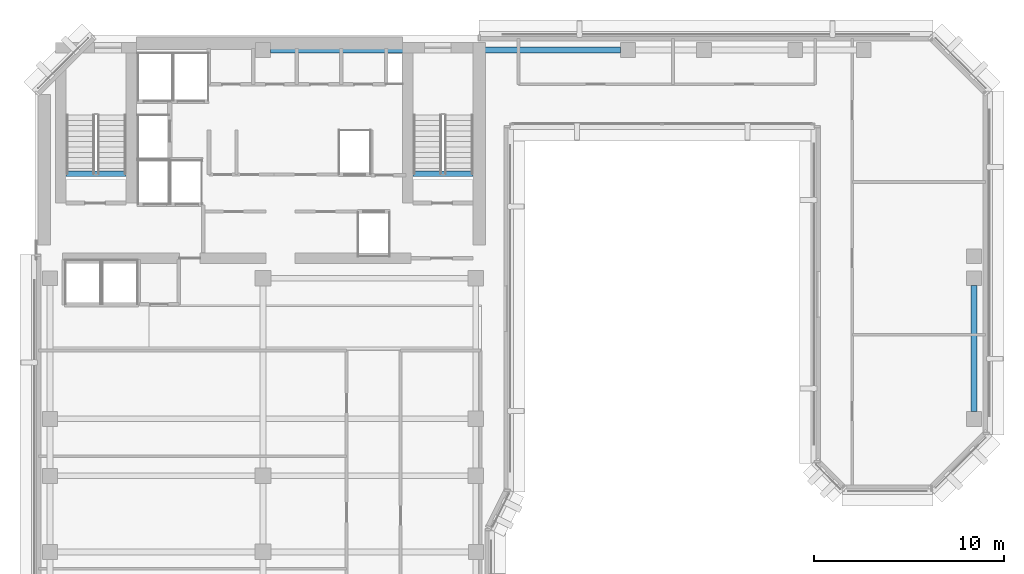
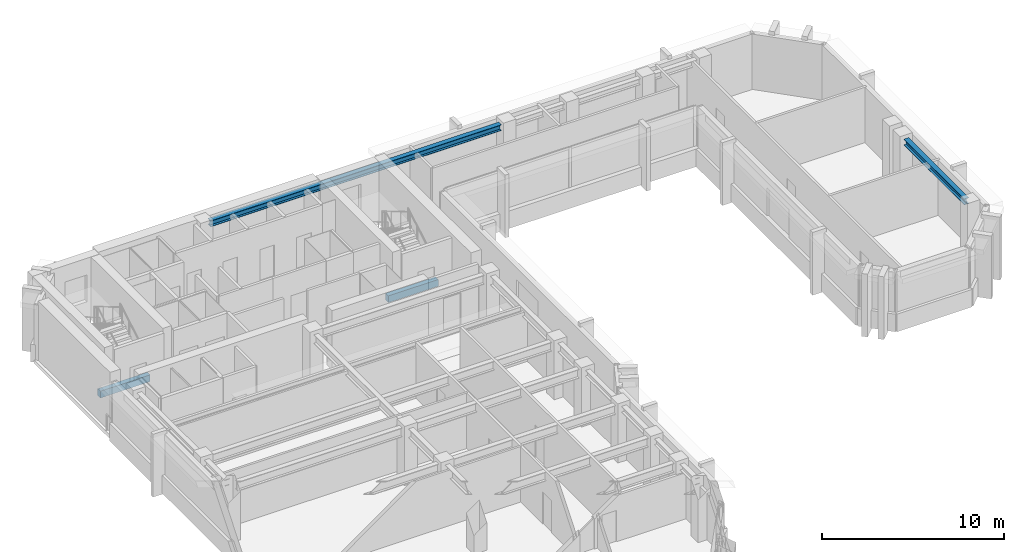
# One storey, part 3 of 11: 4 beams.
"""IFC4 building model written with IfcOpenShell, lengths in metres."""

from ifc_helpers import new_model, si_unit, direction, frame, origin, origin_2d, place, context, subcontext, project, spatial, rectangle, i_section, extrude, material, material_profile, profile_set, type_object, element, save


model = new_model("IFC4")

# Units and contexts
model_context = context("Model", 3, precision=1e-05, world=origin(), true_north=direction((0.0, 1.0)))
body_context = subcontext(model_context, "Body", "Model", "MODEL_VIEW")
ifc_project = project(units=[si_unit("LENGTHUNIT", "METRE"), si_unit("AREAUNIT", "SQUARE_METRE"), si_unit("VOLUMEUNIT", "CUBIC_METRE"), si_unit("PLANEANGLEUNIT", "RADIAN"), si_unit("MASSUNIT", "GRAM", prefix="KILO")], contexts=[model_context])

# Site, building, storey
site_placement = place(None, origin())
site = spatial("IfcSite", under=ifc_project, at=site_placement, CompositionType="ELEMENT")
building_placement = place(site_placement, origin())
building = spatial("IfcBuilding", under=site, at=building_placement, Name="Kefirva Bronze Tower", CompositionType="ELEMENT")
storey_placement = place(building_placement, frame((0.0, 0.0, 219.780029296875)))
storey = spatial("IfcBuildingStorey", under=building, at=storey_placement, Name="L53", CompositionType="ELEMENT", Elevation=219.780029296875)

# Beams
ifc_material_1 = material(Name="Concrete C50/60", Category="concrete")
ifc_material_profile_1 = material_profile(ifc_material_1, rectangle(XDim=0.300048828125, YDim=0.449951171875, at=origin_2d()), Name="RC 300x450")
ifc_profile_set_1 = profile_set([ifc_material_profile_1], Name="Concrete C50/60")
beam_type_1 = type_object("IfcBeamType", Name="RC Stair Trimmer Beam 300x450", PredefinedType="BEAM", material=ifc_profile_set_1)
beam_1_placement = place(storey_placement, frame((1.64501953125, 38.699951171875, -0.22509765625), z_axis=(1.0, 0.0, 0.0), x_axis=(0.0, 1.0, 0.0)))
element("IfcBeam", 1, at=beam_1_placement, inside=storey, type_object=beam_type_1, Name="L53 Stair 1 Landing Trimmer Beam", PredefinedType="BEAM", context=body_context, shape_type="SweptSolid", body=[
    extrude(rectangle(XDim=0.300048828125, YDim=0.449951171875, at=origin_2d()), origin(), (0.0, 0.0, 1.0), 3.14990234375),
])
beam_2_placement = place(storey_placement, frame((19.89501953125, 38.699951171875, -0.22509765625), z_axis=(1.0, 0.0, 0.0), x_axis=(0.0, 1.0, 0.0)))
element("IfcBeam", 2, at=beam_2_placement, inside=storey, type_object=beam_type_1, Name="L53 Stair 2 Landing Trimmer Beam", PredefinedType="BEAM", context=body_context, shape_type="SweptSolid", body=[
    extrude(rectangle(XDim=0.300048828125, YDim=0.449951171875, at=origin_2d()), origin(), (0.0, 0.0, 1.0), 3.159912109375),
])
ifc_material_2 = material(Name="Steel S355", Category="steel")
ifc_material_profile_2 = material_profile(ifc_material_2, i_section(OverallWidth=0.300048828125, OverallDepth=0.39990234375, WebThickness=0.013427734375, FlangeThickness=0.02392578125, at=origin_2d()), Name="HEB 400")
ifc_profile_set_2 = profile_set([ifc_material_profile_2], Name="Steel S355")
beam_type_2 = type_object("IfcBeamType", Name="Steel Spandrel HEB 400 Ext", PredefinedType="SPANDREL", material=ifc_profile_set_2)
beam_3_placement = place(storey_placement, frame((12.389892578125, 45.199951171875, 3.510009765625), z_axis=(1.0, 0.0, 0.0), x_axis=(0.0, 1.0, 0.0)))
element("IfcBeam", 3, at=beam_3_placement, inside=storey, type_object=beam_type_2, Name="L53 BM-L53-EW-12-452", PredefinedType="SPANDREL", context=body_context, shape_type="SweptSolid", body=[
    extrude(i_section(OverallWidth=0.300048828125, OverallDepth=0.39990234375, WebThickness=0.013427734375, FlangeThickness=0.02392578125, at=origin_2d()), origin(), (0.0, 0.0, 1.0), 18.420166015625),
])
beam_4_placement = place(storey_placement, frame((49.39990234375, 26.18994140625, 3.510009765625), z_axis=(0.0, 1.0, 0.0), x_axis=(-1.0, 0.0, 0.0)))
element("IfcBeam", 4, at=beam_4_placement, inside=storey, type_object=beam_type_2, Name="L53 BM-L53-NS-494-25", PredefinedType="SPANDREL", context=body_context, shape_type="SweptSolid", body=[
    extrude(i_section(OverallWidth=0.300048828125, OverallDepth=0.39990234375, WebThickness=0.013427734375, FlangeThickness=0.02392578125, at=origin_2d()), origin(), (0.0, 0.0, 1.0), 6.6201171875),
])

save(model, "model.ifc")
